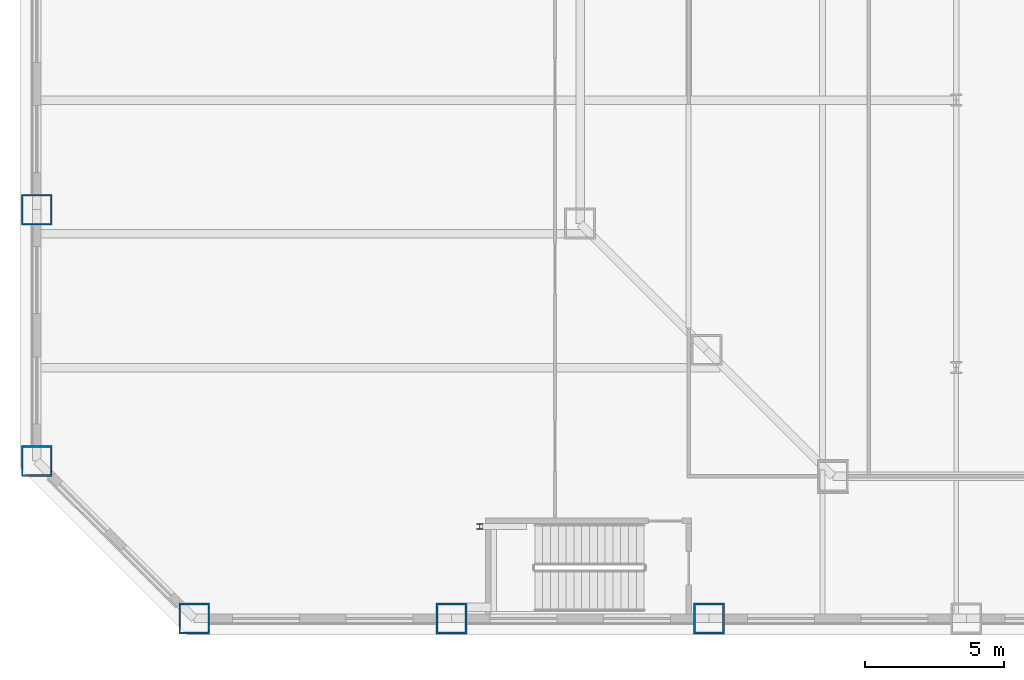
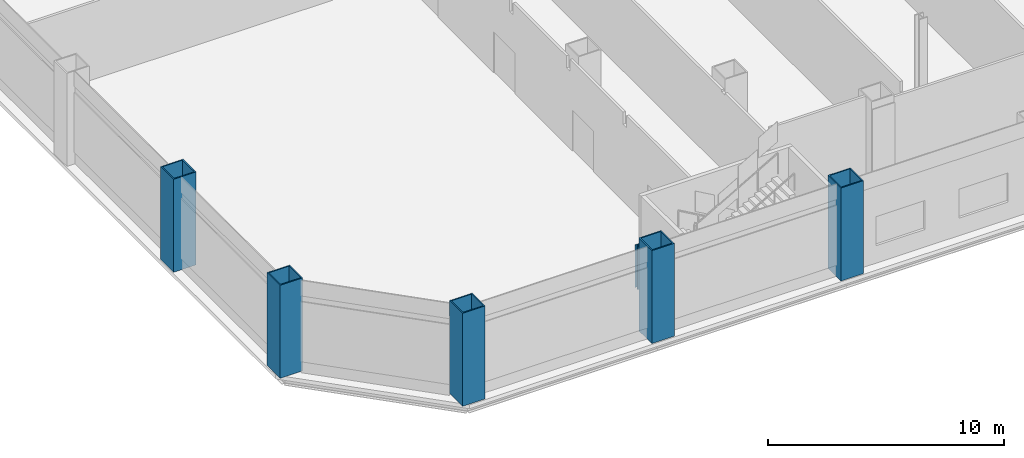
# One storey, part 1 of 25: 6 columns.
"""IFC4 building model written with IfcOpenShell, lengths in metres."""

import ifcopenshell
import ifcopenshell.guid

model = None  # the IFC model being written
_history = None  # IfcOwnerHistory: only IFC2X3 demands one
_inside = {}  # id of a spatial element -> (the spatial element, [elements in it])
_under = {}  # id of a project, library or spatial element -> (it, [spatial elements below it])
_declared = {}  # id of a project -> (the project, [libraries it declares])
_typed = {}  # id of a type object -> (the type object, [elements of that type])
_made_of = {}  # id of a material, layer set ... -> (it, [elements and type objects made of it])


def new_model(schema):
    """Start an empty IFC model of exactly this schema.

    Asked for "IFC4X3", IfcOpenShell would pick the latest addendum, in which some entities
    have other attributes; the version numbers below select the first issue.
    IFC2X3 requires an IfcOwnerHistory on every rooted entity: one is made here for all.
    """
    global model, _history
    if schema == "IFC4X3":
        model = ifcopenshell.file(schema_version=(4, 3, 0, 0))
    else:
        model = ifcopenshell.file(schema=schema)
    _inside.clear()
    _under.clear()
    _declared.clear()
    _typed.clear()
    _made_of.clear()
    _history = None
    if model.schema == "IFC2X3":
        org = make("IfcOrganization", Name="unknown")
        user = make(
            "IfcPersonAndOrganization",
            ThePerson=make("IfcPerson", FamilyName="unknown"),
            TheOrganization=org,
        )
        app = make(
            "IfcApplication",
            ApplicationDeveloper=org,
            Version="unknown",
            ApplicationFullName="unknown",
            ApplicationIdentifier="unknown",
        )
        _history = make(
            "IfcOwnerHistory",
            OwningUser=user,
            OwningApplication=app,
            ChangeAction="ADDED",
            CreationDate=0,
        )
    return model


def make(cls, **values):
    """One entity of the class cls with the attributes given. An attribute that is None is left unset."""
    return model.create_entity(
        cls, **{name: value for name, value in values.items() if value is not None}
    )


def rooted(cls, **values):
    """An entity with a GlobalId (a new one), such as an element, a storey or a relation."""
    return make(cls, GlobalId=ifcopenshell.guid.new(), OwnerHistory=_history, **values)


def si_unit(unit_type, name, prefix=None):
    """IfcSIUnit, for example si_unit("LENGTHUNIT", "METRE", prefix="MILLI")."""
    return make("IfcSIUnit", UnitType=unit_type, Prefix=prefix, Name=name)


def assignment(units):
    """IfcUnitAssignment: the units of a project."""
    return None if units is None else make("IfcUnitAssignment", Units=units)


def point(xyz):
    """IfcCartesianPoint."""
    return None if xyz is None else make("IfcCartesianPoint", Coordinates=xyz)


def direction(xyz):
    """IfcDirection."""
    return None if xyz is None else make("IfcDirection", DirectionRatios=xyz)


def frame(location, z_axis=None, x_axis=None):
    """IfcAxis2Placement3D, a coordinate frame: its origin and axes. An axis left out is left unset."""
    return make(
        "IfcAxis2Placement3D",
        Location=point(location),
        Axis=direction(z_axis),
        RefDirection=direction(x_axis),
    )


def frame_2d(location, x_axis=None):
    """IfcAxis2Placement2D, a coordinate frame in the plane: its origin and x axis."""
    return make(
        "IfcAxis2Placement2D", Location=point(location), RefDirection=direction(x_axis)
    )


def origin():
    """The frame at (0, 0, 0) with its axes left unset."""
    return frame((0.0, 0.0, 0.0))


def origin_2d():
    """The frame at (0, 0) in the plane with its x axis left unset."""
    return frame_2d((0.0, 0.0))


def place(relative_to, where):
    """IfcLocalPlacement: puts the frame where relative to a parent placement (None: the world)."""
    return make(
        "IfcLocalPlacement", PlacementRelTo=relative_to, RelativePlacement=where
    )


def context(
    kind, dimensions, precision=None, world=None, true_north=None, identifier=None
):
    """IfcGeometricRepresentationContext, for example the 3D "Model" context."""
    return make(
        "IfcGeometricRepresentationContext",
        ContextIdentifier=identifier,
        ContextType=kind,
        CoordinateSpaceDimension=dimensions,
        Precision=precision,
        WorldCoordinateSystem=world,
        TrueNorth=true_north,
    )


def subcontext(parent, identifier, kind, view, scale=None):
    """IfcGeometricRepresentationSubContext, for example "Body" below "Model"."""
    return make(
        "IfcGeometricRepresentationSubContext",
        ContextIdentifier=identifier,
        ContextType=kind,
        ParentContext=parent,
        TargetScale=scale,
        TargetView=view,
    )


def project(units=None, contexts=None):
    """IfcProject with its units and contexts."""
    return rooted(
        "IfcProject",
        Name="project",
        RepresentationContexts=contexts,
        UnitsInContext=assignment(units),
    )


def spatial(cls, under=None, at=None, **own):
    """A site, building, storey or space (cls), placed at a placement, below another one or the project."""
    s = rooted(cls, ObjectPlacement=at, **own)
    if under is not None:
        _under.setdefault(under.id(), (under, []))[1].append(s)
    return s


def profile(cls, at=None, kind="AREA", **sizes):
    """A parametric profile (cls). Its sizes go by their IFC names, for example OverallWidth=200.0."""
    return make(cls, ProfileType=kind, Position=at, **sizes)


def hollow_rectangle(**sizes):
    """IfcRectangleHollowProfileDef."""
    return profile("IfcRectangleHollowProfileDef", **sizes)


def i_section(**sizes):
    """IfcIShapeProfileDef."""
    return profile("IfcIShapeProfileDef", **sizes)


def extrude(swept, where, along, depth):
    """IfcExtrudedAreaSolid: the profile swept, set in the frame where, extruded along a direction by depth."""
    return make(
        "IfcExtrudedAreaSolid",
        SweptArea=swept,
        Position=where,
        ExtrudedDirection=direction(along),
        Depth=depth,
    )


def shape(context_of_items, identifier, shape_type, items):
    """IfcShapeRepresentation: the items that make up one representation, for example the "Body"."""
    return make(
        "IfcShapeRepresentation",
        ContextOfItems=context_of_items,
        RepresentationIdentifier=identifier,
        RepresentationType=shape_type,
        Items=items,
    )


def material(Name=None, Category=None):
    """IfcMaterial."""
    return make("IfcMaterial", Name=Name, Category=Category)


def material_profile(
    of_material, cross_section, Name=None, Category=None, Priority=None
):
    """IfcMaterialProfile: a cross section and its material."""
    return make(
        "IfcMaterialProfile",
        Name=Name,
        Material=of_material,
        Profile=cross_section,
        Priority=Priority,
        Category=Category,
    )


def profile_set(profiles, Name=None, composite=None):
    """IfcMaterialProfileSet."""
    return make(
        "IfcMaterialProfileSet",
        Name=Name,
        MaterialProfiles=profiles,
        CompositeProfile=composite,
    )


def made_of(thing, what):
    """Note that an element or type object is made of a material, layer set ...; save() writes the relation."""
    if what is not None:
        _made_of.setdefault(what.id(), (what, []))[1].append(thing)
    return thing


def type_object(cls, material=None, **own):
    """A type object (cls), such as IfcWallType, which elements share."""
    return made_of(rooted(cls, **own), material)


def element(
    cls,
    number,
    at=None,
    inside=None,
    cuts=None,
    type_object=None,
    material=None,
    context=None,
    identifier="Body",
    shape_type=None,
    held_by="IfcProductDefinitionShape",
    body=None,
    shapes=None,
    **own,
):
    """One element of the class cls, such as IfcWall. Its Tag is "e" and its number.

    at: its placement. inside: the storey or other place that contains it. cuts: it is an
    opening in that element (IfcRelVoidsElement). A single representation is given by context,
    identifier, shape_type and body (its items); several are given by shapes. held_by: the class
    of the entity that holds the representations. save() writes the other relations.
    """
    e = rooted(cls, Tag="e%d" % number, ObjectPlacement=at, **own)
    if body is not None:
        shapes = [shape(context, identifier, shape_type, body)]
    if shapes is not None:
        e.Representation = make(held_by, Representations=shapes)
    if inside is not None:
        _inside.setdefault(inside.id(), (inside, []))[1].append(e)
    if cuts is not None:
        rooted(
            "IfcRelVoidsElement", RelatingBuildingElement=cuts, RelatedOpeningElement=e
        )
    if type_object is not None:
        _typed.setdefault(type_object.id(), (type_object, []))[1].append(e)
    return made_of(e, material)


def aggregate(whole, parts):
    """IfcRelAggregates: a whole, such as a stair, and the parts it consists of."""
    return rooted("IfcRelAggregates", RelatingObject=whole, RelatedObjects=parts)


def save(model, path):
    """Write the relations noted so far, then the file.

    IfcRelAggregates (storeys below a building ...), IfcRelContainedInSpatialStructure (elements
    in a storey), IfcRelDefinesByType, IfcRelAssociatesMaterial and IfcRelDeclares: one each for
    every whole, place, type object, material and project.
    """
    for whole, parts in _under.values():
        aggregate(whole, parts)
    for where, things in _inside.values():
        rooted(
            "IfcRelContainedInSpatialStructure",
            RelatedElements=things,
            RelatingStructure=where,
        )
    for kind, things in _typed.values():
        rooted("IfcRelDefinesByType", RelatedObjects=things, RelatingType=kind)
    for what, things in _made_of.values():
        rooted("IfcRelAssociatesMaterial", RelatedObjects=things, RelatingMaterial=what)
    for by, libraries in _declared.values():
        rooted("IfcRelDeclares", RelatingContext=by, RelatedDefinitions=libraries)
    model.write(path)


model = new_model("IFC4")

# Units and contexts
model_context = context("Model", 3, precision=1e-05, world=origin(), true_north=direction((0.0, 1.0)))
body_context = subcontext(model_context, "Body", "Model", "MODEL_VIEW")
ifc_project = project(units=[si_unit("LENGTHUNIT", "METRE"), si_unit("AREAUNIT", "SQUARE_METRE"), si_unit("VOLUMEUNIT", "CUBIC_METRE"), si_unit("PLANEANGLEUNIT", "RADIAN"), si_unit("MASSUNIT", "GRAM", prefix="KILO")], contexts=[model_context])

# Site, building, storey
site_placement = place(None, origin())
site = spatial("IfcSite", under=ifc_project, at=site_placement, CompositionType="ELEMENT")
building_placement = place(site_placement, origin())
building = spatial("IfcBuilding", under=site, at=building_placement, Name="Cairn Pilgrim Tower", CompositionType="ELEMENT")
storey_placement = place(building_placement, frame((0.0, 0.0, 30.60009765625)))
storey = spatial("IfcBuildingStorey", under=building, at=storey_placement, Name="L05", CompositionType="ELEMENT", Elevation=30.60009765625)

# Columns
ifc_material_1 = material(Name="Structural steel S460M", Category="steel")
ifc_material_profile_1 = material_profile(ifc_material_1, hollow_rectangle(XDim=1.10009765625, YDim=1.10009765625, WallThickness=0.06005859375, at=origin_2d()), Name="BOX 1100x1100x60")
ifc_profile_set_1 = profile_set([ifc_material_profile_1], Name="Structural steel S460M")
column_type_1 = type_object("IfcColumnType", Name="PILOTIS CFT 1100", PredefinedType="COLUMN", material=ifc_profile_set_1)
for number, where, z_axis, x_axis, name in (
    (1, (-41.75146484375, -28.199951171875, 0.0), (0.0, 0.0, 1.0), (1.0, 0.0, 0.0), "PILOTIS PL-S1"),
    (2, (-32.513671875, -28.199951171875, 0.0), (0.0, 0.0, 1.0), (1.0, 0.0, 0.0), "PILOTIS PL-S2"),
    (3, (-23.275634765625, -28.199951171875, 0.0), (0.0, 0.0, 1.0), (1.0, 0.0, 0.0), "PILOTIS PL-S3"),
    (4, (-47.39990234375, -13.531005859375, 0.0), (0.0, 0.0, 1.0), (1.0, 0.0, 0.0), "PILOTIS PL-W5"),
    (5, (-47.39990234375, -22.551513671875, 0.0), (0.0, 0.0, 1.0), (1.0, 0.0, 0.0), "PILOTIS PL-SW1"),
):
    element("IfcColumn", number, at=place(storey_placement, frame(where, z_axis=z_axis, x_axis=x_axis)), inside=storey, type_object=column_type_1, Name=name, PredefinedType="COLUMN", context=body_context, shape_type="SweptSolid", body=[
        extrude(hollow_rectangle(XDim=1.10009765625, YDim=1.10009765625, WallThickness=0.06005859375, at=origin_2d()), origin(), (0.0, 0.0, 1.0), 4.7998046875),
    ])
ifc_material_2 = material(Name="Structural steel S355J2", Category="steel")
ifc_material_profile_2 = material_profile(ifc_material_2, i_section(OverallWidth=0.199951171875, OverallDepth=0.199951171875, WebThickness=0.009033203125, FlangeThickness=0.014892578125, FilletRadius=0.01806640625, at=origin_2d()), Name="HE 200 B")
ifc_profile_set_2 = profile_set([ifc_material_profile_2], Name="Structural steel S355J2")
column_type_2 = type_object("IfcColumnType", Name="STAIR POST HE 200 B", PredefinedType="COLUMN", material=ifc_profile_set_2)
column_placement = place(storey_placement, frame((-31.5, -24.89990234375, 0.0), z_axis=(0.0, 0.0, 1.0), x_axis=(1.0, 0.0, 0.0)))
element("IfcColumn", 6, at=column_placement, inside=storey, type_object=column_type_2, Name="STAIR POST LP-HS-W", PredefinedType="COLUMN", context=body_context, shape_type="SweptSolid", body=[
    extrude(i_section(OverallWidth=0.199951171875, OverallDepth=0.199951171875, WebThickness=0.009033203125, FlangeThickness=0.014892578125, FilletRadius=0.01806640625, at=origin_2d()), origin(), (0.0, 0.0, 1.0), 2.199951171875),
])

save(model, "model.ifc")
